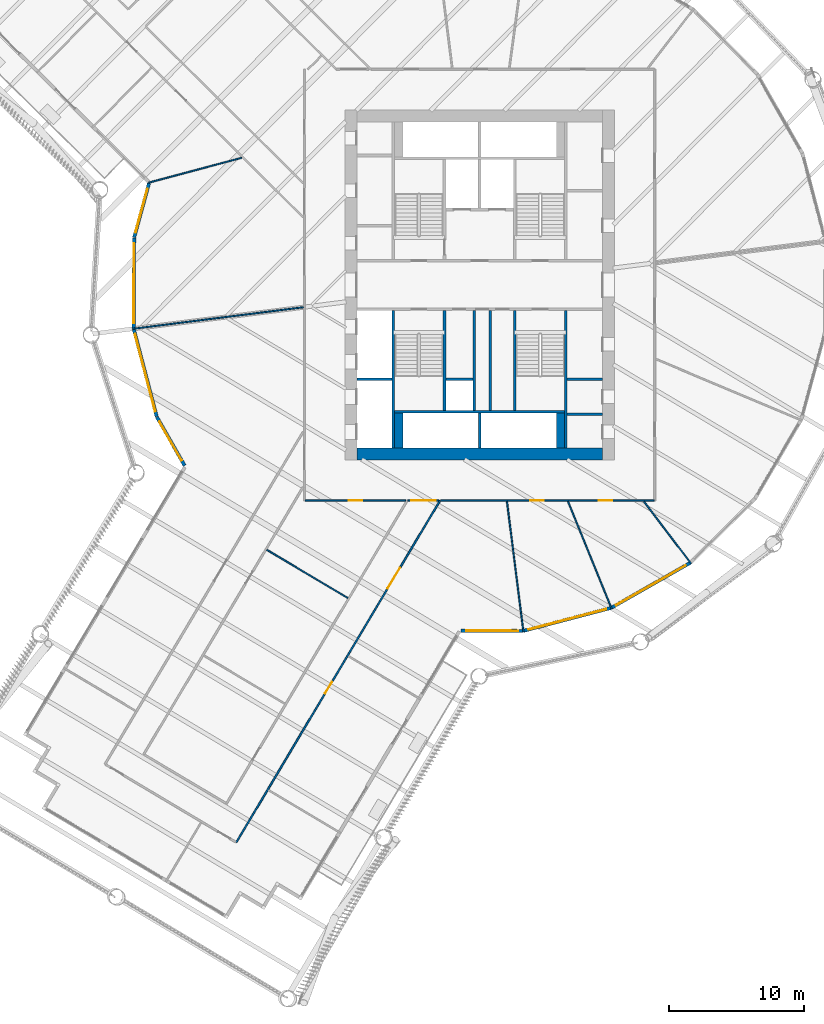
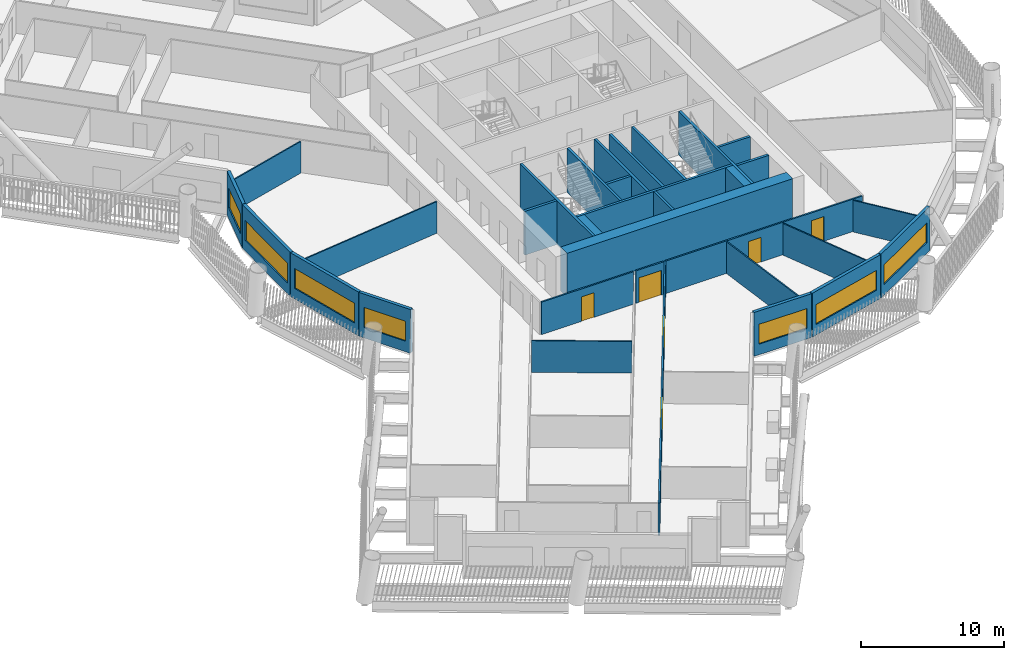
# One storey, part 4 of 22: 32 walls, 7 windows, 6 doors, 13 openings.
"""IFC4 building model written with IfcOpenShell, lengths in metres."""

from ifc_helpers import new_model, si_unit, direction, frame, frame_2d, origin, place, context, subcontext, project, spatial, rectangle, extrude, material, layer, layer_set, type_object, element, fill, save


model = new_model("IFC4")

# Units and contexts
model_context = context("Model", 3, precision=1e-05, world=origin(), true_north=direction((0.0, 1.0)))
body_context = subcontext(model_context, "Body", "Model", "MODEL_VIEW")
ifc_project = project(units=[si_unit("LENGTHUNIT", "METRE"), si_unit("AREAUNIT", "SQUARE_METRE"), si_unit("VOLUMEUNIT", "CUBIC_METRE"), si_unit("PLANEANGLEUNIT", "RADIAN"), si_unit("MASSUNIT", "GRAM", prefix="KILO")], contexts=[model_context])

# Site, building, storey
site_placement = place(None, origin())
site = spatial("IfcSite", under=ifc_project, at=site_placement, CompositionType="ELEMENT")
building_placement = place(site_placement, origin())
building = spatial("IfcBuilding", under=site, at=building_placement, Name="Tarsis Ring Headquarters", CompositionType="ELEMENT")
storey_placement = place(building_placement, frame((0.0, 0.0, 79.0)))
storey = spatial("IfcBuildingStorey", under=building, at=storey_placement, Name="L17", CompositionType="ELEMENT", Elevation=79.0)

# Walls
ifc_material_1 = material(Name="Blockwork", Category="masonry")
ifc_layer_1 = layer(ifc_material_1, 0.199951171875)
ifc_layer_set_1 = layer_set([ifc_layer_1], Name="Core blockwork wall 200")
wall_type_1 = type_object("IfcWallType", Name="Core blockwork wall 200", PredefinedType="PARTITIONING", material=ifc_layer_set_1)
for number, where, z_axis, x_axis, name in (
    (1, (6.5, -9.60009765625, 0.0), (0.0, 0.0, 1.0), (1.0, 0.0, 0.0), "Core partition ED1"),
    (2, (6.5, -7.0, 0.0), (0.0, 0.0, 1.0), (1.0, 0.0, 0.0), "Core partition ED2"),
):
    element("IfcWall", number, at=place(storey_placement, frame(where, z_axis=z_axis, x_axis=x_axis)), inside=storey, type_object=wall_type_1, Name=name, PredefinedType="PARTITIONING", context=body_context, shape_type="SweptSolid", body=[
        extrude(rectangle(XDim=2.60009765625, YDim=0.199951171875, at=frame_2d((1.300048828125, 0.0))), origin(), (0.0, 0.0, 1.0), 3.739990234375),
    ])
wall_1_placement = place(storey_placement, frame((-2.5, -7.0, 0.0), z_axis=(0.0, 0.0, 1.0), x_axis=(1.0, 0.0, 0.0)))
element("IfcWall", 3, at=wall_1_placement, inside=storey, type_object=wall_type_1, Name="Core partition SP1", PredefinedType="PARTITIONING", context=body_context, shape_type="SweptSolid", body=[
    extrude(rectangle(XDim=2.0, YDim=0.199951171875, at=frame_2d((1.0, 0.0))), origin(), (0.0, 0.0, 1.0), 3.739990234375),
])
for number, where, z_axis, x_axis, name in (
    (4, (-0.39990234375, -9.300048828125, 0.0), (0.0, 0.0, 1.0), (0.0, 1.0, 0.0), "Core partition SV1"),
    (5, (0.800048828125, -9.300048828125, 0.0), (0.0, 0.0, 1.0), (0.0, 1.0, 0.0), "Core partition SV2"),
):
    element("IfcWall", number, at=place(storey_placement, frame(where, z_axis=z_axis, x_axis=x_axis)), inside=storey, type_object=wall_type_1, Name=name, PredefinedType="PARTITIONING", context=body_context, shape_type="SweptSolid", body=[
        extrude(rectangle(XDim=7.400146484375, YDim=0.199951171875, at=frame_2d((3.7001953125, 0.0))), origin(), (0.0, 0.0, 1.0), 3.739990234375),
    ])
ifc_material_2 = material(Name="Concrete C60/75", Category="concrete")
ifc_layer_2 = layer(ifc_material_2, 0.89990234375)
ifc_layer_set_2 = layer_set([ifc_layer_2], Name="Core wall 900 C60/75")
wall_type_2 = type_object("IfcWallType", Name="Core wall 900 C60/75", PredefinedType="SHEAR", material=ifc_layer_set_2)
wall_2_placement = place(storey_placement, frame((-9.10009765625, -12.550048828125, 0.0), z_axis=(0.0, 0.0, 1.0), x_axis=(1.0, 0.0, 0.0)))
element("IfcWall", 6, at=wall_2_placement, inside=storey, type_object=wall_type_2, Name="Core wall OS", PredefinedType="SHEAR", context=body_context, shape_type="SweptSolid", body=[
    extrude(rectangle(XDim=18.2001953125, YDim=0.89990234375, at=frame_2d((9.10009765625, 0.0))), origin(), (0.0, 0.0, 1.0), 3.739990234375),
])
ifc_material_3 = material(Name="Gypsum board on steel studs", Category="steel")
ifc_layer_3 = layer(ifc_material_3, 0.10009765625)
ifc_layer_set_3 = layer_set([ifc_layer_3], Name="FL partition 100 unrated")
wall_type_3 = type_object("IfcWallType", Name="FL partition 100 unrated", PredefinedType="PARTITIONING", material=ifc_layer_set_3)
wall_3_placement = place(storey_placement, frame((-25.7431640625, -3.252197265625, 0.0), z_axis=(0.0, 0.0, 1.0), x_axis=(0.992114726728, 0.125333032399, 0.0)))
element("IfcWall", 7, at=wall_3_placement, inside=storey, type_object=wall_type_3, Name="Partition PW3", PredefinedType="PARTITIONING", context=body_context, shape_type="SweptSolid", body=[
    extrude(rectangle(XDim=12.774658203125, YDim=0.10009765625, at=frame_2d((6.38720703125, 0.0))), origin(), (0.0, 0.0, 1.0), 2.699951171875),
])
wall_4_placement = place(storey_placement, frame((2.030029296875, -16.0693359375, 0.0), z_axis=(0.0, 0.0, 1.0), x_axis=(0.125341235965, -0.992113690343, 0.0)))
element("IfcWall", 8, at=wall_4_placement, inside=storey, type_object=wall_type_3, Name="Partition PW3", PredefinedType="PARTITIONING", context=body_context, shape_type="SweptSolid", body=[
    extrude(rectangle(XDim=9.750732421875, YDim=0.10009765625, at=frame_2d((4.87548828125, 0.0))), origin(), (0.0, 0.0, 1.0), 2.699951171875),
])
wall_5_placement = place(storey_placement, frame((6.559814453125, -16.07421875, 0.0), z_axis=(0.0, 0.0, 1.0), x_axis=(0.377837807376, -0.925871800692, 0.0)))
element("IfcWall", 9, at=wall_5_placement, inside=storey, type_object=wall_type_3, Name="Partition PW3", PredefinedType="PARTITIONING", context=body_context, shape_type="SweptSolid", body=[
    extrude(rectangle(XDim=8.586669921875, YDim=0.10009765625, at=frame_2d((4.29345703125, 0.0))), origin(), (0.0, 0.0, 1.0), 2.699951171875),
])
wall_6_placement = place(storey_placement, frame((-15.786865234375, -19.6474609375, 0.0), z_axis=(0.0, 0.0, 1.0), x_axis=(0.85896349419, -0.512036830364, 0.0)))
element("IfcWall", 10, at=wall_6_placement, inside=storey, type_object=wall_type_3, Name="Partition PW3", PredefinedType="PARTITIONING", context=body_context, shape_type="SweptSolid", body=[
    extrude(rectangle(XDim=7.0, YDim=0.10009765625, at=frame_2d((3.5, 0.0))), origin(), (0.0, 0.0, 1.0), 2.699951171875),
])
wall_7_placement = place(storey_placement, frame((-24.566162109375, 7.58935546875, 0.0), z_axis=(0.0, 0.0, 1.0), x_axis=(0.966147727917, 0.257989472345, 0.0)))
element("IfcWall", 11, at=wall_7_placement, inside=storey, type_object=wall_type_3, Name="Partition PW3", PredefinedType="PARTITIONING", context=body_context, shape_type="SweptSolid", body=[
    extrude(rectangle(XDim=7.159912109375, YDim=0.10009765625, at=frame_2d((3.580078125, 0.0))), origin(), (0.0, 0.0, 1.0), 2.699951171875),
])
wall_8_placement = place(storey_placement, frame((12.205078125, -16.07958984375, 0.0), z_axis=(0.0, 0.0, 1.0), x_axis=(0.604594235165, -0.796533621893, 0.0)))
element("IfcWall", 12, at=wall_8_placement, inside=storey, type_object=wall_type_3, Name="Partition PW3", PredefinedType="PARTITIONING", context=body_context, shape_type="SweptSolid", body=[
    extrude(rectangle(XDim=5.7607421875, YDim=0.10009765625, at=frame_2d((2.88037109375, 0.0))), origin(), (0.0, 0.0, 1.0), 2.699951171875),
])

# Wall, openings, doors
ifc_layer_4 = layer(ifc_material_3, 0.125)
ifc_layer_set_4 = layer_set([ifc_layer_4], Name="FL partition 125 EI 60 H2770")
wall_type_4 = type_object("IfcWallType", Name="FL partition 125 EI 60 H2770", PredefinedType="PARTITIONING", material=ifc_layer_set_4)
wall_9_placement = place(storey_placement, frame((-18.053955078125, -41.35888671875, 0.0), z_axis=(0.0, 0.0, 1.0), x_axis=(0.512043187953, 0.858959704335, 0.0)))
wall_9 = element("IfcWall", 13, at=wall_9_placement, inside=storey, type_object=wall_type_4, Name="Partition PW1", PredefinedType="PARTITIONING", context=body_context, shape_type="SweptSolid", body=[
    extrude(rectangle(XDim=29.522705078125, YDim=0.125, at=frame_2d((14.76123046875, 0.0))), origin(), (0.0, 0.0, 1.0), 2.77001953125),
])
opening_1_placement = place(wall_9_placement, frame((21.927978515625, 0.0, 0.0)))
opening_1 = element("IfcOpeningElement", 14, at=opening_1_placement, cuts=wall_9, Name="Opening D17.13", PredefinedType="OPENING", context=body_context, shape_type="SweptSolid", body=[
    extrude(rectangle(XDim=1.800048828125, YDim=2.10009765625, at=frame_2d((0.89990234375, 1.050048828125))), frame((0.0, 0.072509765625, 0.0), z_axis=(0.0, -1.0, 0.0), x_axis=(1.0, 0.0, 0.0)), (0.0, 0.0, 1.0), 0.14501953125),
])
opening_2_placement = place(wall_9_placement, frame((12.8603515625, 0.0, 0.0)))
opening_2 = element("IfcOpeningElement", 15, at=opening_2_placement, cuts=wall_9, Name="Opening D17.14", PredefinedType="OPENING", context=body_context, shape_type="SweptSolid", body=[
    extrude(rectangle(XDim=1.0, YDim=2.10009765625, at=frame_2d((0.5, 1.050048828125))), frame((0.0, 0.072509765625, 0.0), z_axis=(0.0, -1.0, 0.0), x_axis=(1.0, 0.0, 0.0)), (0.0, 0.0, 1.0), 0.14501953125),
])
ifc_material_4 = material(Name="Fire-rated timber door leaf in steel frame", Category="steel")
door_type_1 = type_object("IfcDoorType", Name="FL door FD60-1000", OperationType="NOTDEFINED", PredefinedType="DOOR", material=ifc_material_4)
door_1_placement = place(opening_2_placement, origin())
door_1 = element("IfcDoor", 16, at=door_1_placement, inside=storey, type_object=door_type_1, Name="Door D17.14", OperationType="SINGLE_SWING_LEFT", OverallHeight=2.10009765625, OverallWidth=1.0, PredefinedType="DOOR", context=body_context, shape_type="SweptSolid", body=[
    extrude(rectangle(XDim=1.0, YDim=2.10009765625, at=frame_2d((0.5, 1.050048828125))), frame((0.0, 0.02490234375, 0.0), z_axis=(0.0, -1.0, 0.0), x_axis=(1.0, 0.0, 0.0)), (0.0, 0.0, 1.0), 0.050048828125),
])
fill(opening_2, door_1)
door_type_2 = type_object("IfcDoorType", Name="FL door FD60-1800", OperationType="DOUBLE_DOOR_SINGLE_SWING", PredefinedType="DOOR", material=ifc_material_4)
door_2_placement = place(opening_1_placement, origin())
door_2 = element("IfcDoor", 17, at=door_2_placement, inside=storey, type_object=door_type_2, Name="Door D17.13", OperationType="DOUBLE_DOOR_SINGLE_SWING", OverallHeight=2.10009765625, OverallWidth=1.800048828125, PredefinedType="DOOR", context=body_context, shape_type="SweptSolid", body=[
    extrude(rectangle(XDim=1.800048828125, YDim=2.10009765625, at=frame_2d((0.89990234375, 1.050048828125))), frame((0.0, 0.02490234375, 0.0), z_axis=(0.0, -1.0, 0.0), x_axis=(1.0, 0.0, 0.0)), (0.0, 0.0, 1.0), 0.050048828125),
])
fill(opening_1, door_2)

# Wall, opening, door
wall_10_placement = place(storey_placement, frame((-12.93994140625, -16.0, 0.0), z_axis=(0.0, 0.0, 1.0), x_axis=(1.0, 0.0, 0.0)))
wall_10 = element("IfcWall", 18, at=wall_10_placement, inside=storey, type_object=wall_type_4, Name="Partition PW1", PredefinedType="PARTITIONING", context=body_context, shape_type="SweptSolid", body=[
    extrude(rectangle(XDim=7.4482421875, YDim=0.125, at=frame_2d((3.72412109375, 0.0))), origin(), (0.0, 0.0, 1.0), 2.77001953125),
])
opening_3_placement = place(wall_10_placement, frame((3.2490234375, 0.0, 0.0)))
opening_3 = element("IfcOpeningElement", 19, at=opening_3_placement, cuts=wall_10, Name="Opening D17.22", PredefinedType="OPENING", context=body_context, shape_type="SweptSolid", body=[
    extrude(rectangle(XDim=1.0, YDim=2.10009765625, at=frame_2d((0.5, 1.050048828125))), frame((0.0, 0.072509765625, 0.0), z_axis=(0.0, -1.0, 0.0), x_axis=(1.0, 0.0, 0.0)), (0.0, 0.0, 1.0), 0.14501953125),
])
door_3_placement = place(opening_3_placement, origin())
door_3 = element("IfcDoor", 20, at=door_3_placement, inside=storey, type_object=door_type_1, Name="Door D17.22", OperationType="SINGLE_SWING_LEFT", OverallHeight=2.10009765625, OverallWidth=1.0, PredefinedType="DOOR", context=body_context, shape_type="SweptSolid", body=[
    extrude(rectangle(XDim=1.0, YDim=2.10009765625, at=frame_2d((0.5, 1.050048828125))), frame((0.0, 0.02490234375, 0.0), z_axis=(0.0, -1.0, 0.0), x_axis=(1.0, 0.0, 0.0)), (0.0, 0.0, 1.0), 0.050048828125),
])
fill(opening_3, door_3)

wall_11_placement = place(storey_placement, frame((-5.327880859375, -16.0, 0.0), z_axis=(0.0, 0.0, 1.0), x_axis=(1.0, 0.0, 0.0)))
wall_11 = element("IfcWall", 21, at=wall_11_placement, inside=storey, type_object=wall_type_4, Name="Partition PW1", PredefinedType="PARTITIONING", context=body_context, shape_type="SweptSolid", body=[
    extrude(rectangle(XDim=2.281005859375, YDim=0.125, at=frame_2d((1.140625, 0.0))), origin(), (0.0, 0.0, 1.0), 2.77001953125),
])
opening_4_placement = place(wall_11_placement, frame((0.268798828125, 0.0, 0.0)))
opening_4 = element("IfcOpeningElement", 22, at=opening_4_placement, cuts=wall_11, Name="Opening D17.28", PredefinedType="OPENING", context=body_context, shape_type="SweptSolid", body=[
    extrude(rectangle(XDim=1.800048828125, YDim=2.10009765625, at=frame_2d((0.89990234375, 1.050048828125))), frame((0.0, 0.072509765625, 0.0), z_axis=(0.0, -1.0, 0.0), x_axis=(1.0, 0.0, 0.0)), (0.0, 0.0, 1.0), 0.14501953125),
])
door_4_placement = place(opening_4_placement, origin())
door_4 = element("IfcDoor", 23, at=door_4_placement, inside=storey, type_object=door_type_2, Name="Door D17.28", OperationType="DOUBLE_DOOR_SINGLE_SWING", OverallHeight=2.10009765625, OverallWidth=1.800048828125, PredefinedType="DOOR", context=body_context, shape_type="SweptSolid", body=[
    extrude(rectangle(XDim=1.800048828125, YDim=2.10009765625, at=frame_2d((0.89990234375, 1.050048828125))), frame((0.0, 0.02490234375, 0.0), z_axis=(0.0, -1.0, 0.0), x_axis=(1.0, 0.0, 0.0)), (0.0, 0.0, 1.0), 0.050048828125),
])
fill(opening_4, door_4)

# Wall, openings, doors
wall_12_placement = place(storey_placement, frame((-2.88330078125, -16.0, 0.0), z_axis=(0.0, 0.0, 1.0), x_axis=(1.0, 0.0, 0.0)))
wall_12 = element("IfcWall", 24, at=wall_12_placement, inside=storey, type_object=wall_type_4, Name="Partition PW1", PredefinedType="PARTITIONING", context=body_context, shape_type="SweptSolid", body=[
    extrude(rectangle(XDim=15.8232421875, YDim=0.125, at=frame_2d((7.91162109375, 0.0))), origin(), (0.0, 0.0, 1.0), 2.77001953125),
])
opening_5_placement = place(wall_12_placement, frame((11.72021484375, 0.0, 0.0)))
opening_5 = element("IfcOpeningElement", 25, at=opening_5_placement, cuts=wall_12, Name="Opening D17.11", PredefinedType="OPENING", context=body_context, shape_type="SweptSolid", body=[
    extrude(rectangle(XDim=1.0, YDim=2.10009765625, at=frame_2d((0.5, 1.050048828125))), frame((0.0, 0.072509765625, 0.0), z_axis=(0.0, -1.0, 0.0), x_axis=(1.0, 0.0, 0.0)), (0.0, 0.0, 1.0), 0.14501953125),
])
opening_6_placement = place(wall_12_placement, frame((6.65869140625, 0.0, 0.0)))
opening_6 = element("IfcOpeningElement", 26, at=opening_6_placement, cuts=wall_12, Name="Opening D17.12", PredefinedType="OPENING", context=body_context, shape_type="SweptSolid", body=[
    extrude(rectangle(XDim=1.0, YDim=2.10009765625, at=frame_2d((0.5, 1.050048828125))), frame((0.0, 0.072509765625, 0.0), z_axis=(0.0, -1.0, 0.0), x_axis=(1.0, 0.0, 0.0)), (0.0, 0.0, 1.0), 0.14501953125),
])
door_5_placement = place(opening_5_placement, origin())
door_5 = element("IfcDoor", 27, at=door_5_placement, inside=storey, type_object=door_type_1, Name="Door D17.11", OperationType="SINGLE_SWING_RIGHT", OverallHeight=2.10009765625, OverallWidth=1.0, PredefinedType="DOOR", context=body_context, shape_type="SweptSolid", body=[
    extrude(rectangle(XDim=1.0, YDim=2.10009765625, at=frame_2d((0.5, 1.050048828125))), frame((0.0, 0.02490234375, 0.0), z_axis=(0.0, -1.0, 0.0), x_axis=(1.0, 0.0, 0.0)), (0.0, 0.0, 1.0), 0.050048828125),
])
fill(opening_5, door_5)
door_6_placement = place(opening_6_placement, origin())
door_6 = element("IfcDoor", 28, at=door_6_placement, inside=storey, type_object=door_type_1, Name="Door D17.12", OperationType="SINGLE_SWING_LEFT", OverallHeight=2.10009765625, OverallWidth=1.0, PredefinedType="DOOR", context=body_context, shape_type="SweptSolid", body=[
    extrude(rectangle(XDim=1.0, YDim=2.10009765625, at=frame_2d((0.5, 1.050048828125))), frame((0.0, 0.02490234375, 0.0), z_axis=(0.0, -1.0, 0.0), x_axis=(1.0, 0.0, 0.0)), (0.0, 0.0, 1.0), 0.050048828125),
])
fill(opening_6, door_6)

# Wall, opening, window
ifc_material_5 = material(Name="Terracotta clad insulated panel wall", Category="masonry")
ifc_layer_5 = layer(ifc_material_5, 0.25)
ifc_layer_set_5 = layer_set([ifc_layer_5], Name="Facade wall terracotta panel 250")
wall_type_5 = type_object("IfcWallType", Name="Facade wall terracotta panel 250", PredefinedType="STANDARD", material=ifc_layer_set_5)
wall_13_placement = place(storey_placement, frame((-24.533203125, 7.53759765625, 0.0), z_axis=(0.0, 0.0, 1.0), x_axis=(-0.263837805809, -0.964567059476, 0.0)))
wall_13 = element("IfcWall", 29, at=wall_13_placement, inside=storey, type_object=wall_type_5, Name="External wall L17-02", PredefinedType="STANDARD", context=body_context, shape_type="SweptSolid", body=[
    extrude(rectangle(XDim=4.157470703125, YDim=0.25, at=frame_2d((2.07861328125, 0.0))), origin(), (0.0, 0.0, 1.0), 3.739990234375),
])
opening_7_placement = place(wall_13_placement, frame((0.420166015625, 0.0, 0.89990234375)))
opening_7 = element("IfcOpeningElement", 30, at=opening_7_placement, cuts=wall_13, Name="Opening WN01", PredefinedType="OPENING", context=body_context, shape_type="SweptSolid", body=[
    extrude(rectangle(XDim=3.35009765625, YDim=1.699951171875, at=frame_2d((1.675048828125, 0.85009765625))), frame((0.0, 0.135009765625, 0.0), z_axis=(0.0, -1.0, 0.0), x_axis=(1.0, 0.0, 0.0)), (0.0, 0.0, 1.0), 0.27001953125),
])
ifc_material_6 = material(Name="Aluminium framed double glazing", Category="aluminium")
window_type_1 = type_object("IfcWindowType", Name="Facade window 3350 x 1700", PartitioningType="SINGLE_PANEL", PredefinedType="WINDOW", material=ifc_material_6)
window_1_placement = place(opening_7_placement, origin())
window_1 = element("IfcWindow", 31, at=window_1_placement, inside=storey, type_object=window_type_1, Name="Window L17-02.1", OverallHeight=1.699951171875, OverallWidth=3.35009765625, PartitioningType="SINGLE_PANEL", PredefinedType="WINDOW", context=body_context, shape_type="SweptSolid", body=[
    extrude(rectangle(XDim=3.35009765625, YDim=1.699951171875, at=frame_2d((1.675048828125, 0.85009765625))), frame((0.0, 0.030029296875, 0.0), z_axis=(0.0, -1.0, 0.0), x_axis=(1.0, 0.0, 0.0)), (0.0, 0.0, 1.0), 0.06005859375),
])
fill(opening_7, window_1)

wall_14_placement = place(storey_placement, frame((-25.634521484375, 3.4951171875, 0.0), z_axis=(0.0, 0.0, 1.0), x_axis=(-0.005266717117, -0.999986130749, 0.0)))
wall_14 = element("IfcWall", 32, at=wall_14_placement, inside=storey, type_object=wall_type_5, Name="External wall L17-03", PredefinedType="STANDARD", context=body_context, shape_type="SweptSolid", body=[
    extrude(rectangle(XDim=6.721435546875, YDim=0.25, at=frame_2d((3.36083984375, 0.0))), origin(), (0.0, 0.0, 1.0), 3.739990234375),
])
opening_8_placement = place(wall_14_placement, frame((0.3857421875, 0.0, 0.89990234375)))
opening_8 = element("IfcOpeningElement", 33, at=opening_8_placement, cuts=wall_14, Name="Opening WN07", PredefinedType="OPENING", context=body_context, shape_type="SweptSolid", body=[
    extrude(rectangle(XDim=5.949951171875, YDim=1.699951171875, at=frame_2d((2.97509765625, 0.85009765625))), frame((0.0, 0.135009765625, 0.0), z_axis=(0.0, -1.0, 0.0), x_axis=(1.0, 0.0, 0.0)), (0.0, 0.0, 1.0), 0.27001953125),
])
window_type_2 = type_object("IfcWindowType", Name="Facade window 5950 x 1700", PartitioningType="SINGLE_PANEL", PredefinedType="WINDOW", material=ifc_material_6)
window_2_placement = place(opening_8_placement, origin())
window_2 = element("IfcWindow", 34, at=window_2_placement, inside=storey, type_object=window_type_2, Name="Window L17-03.1", OverallHeight=1.699951171875, OverallWidth=5.949951171875, PartitioningType="SINGLE_PANEL", PredefinedType="WINDOW", context=body_context, shape_type="SweptSolid", body=[
    extrude(rectangle(XDim=5.949951171875, YDim=1.699951171875, at=frame_2d((2.97509765625, 0.85009765625))), frame((0.0, 0.030029296875, 0.0), z_axis=(0.0, -1.0, 0.0), x_axis=(1.0, 0.0, 0.0)), (0.0, 0.0, 1.0), 0.06005859375),
])
fill(opening_8, window_2)

wall_15_placement = place(storey_placement, frame((-25.665771484375, -3.2587890625, 0.0), z_axis=(0.0, 0.0, 1.0), x_axis=(0.253783441606, -0.967261063398, 0.0)))
wall_15 = element("IfcWall", 35, at=wall_15_placement, inside=storey, type_object=wall_type_5, Name="External wall L17-04", PredefinedType="STANDARD", context=body_context, shape_type="SweptSolid", body=[
    extrude(rectangle(XDim=6.721435546875, YDim=0.25, at=frame_2d((3.36083984375, 0.0))), origin(), (0.0, 0.0, 1.0), 3.739990234375),
])
opening_9_placement = place(wall_15_placement, frame((0.3857421875, 0.0, 0.89990234375)))
opening_9 = element("IfcOpeningElement", 36, at=opening_9_placement, cuts=wall_15, Name="Opening WN07", PredefinedType="OPENING", context=body_context, shape_type="SweptSolid", body=[
    extrude(rectangle(XDim=5.949951171875, YDim=1.699951171875, at=frame_2d((2.97509765625, 0.85009765625))), frame((0.0, 0.135009765625, 0.0), z_axis=(0.0, -1.0, 0.0), x_axis=(1.0, 0.0, 0.0)), (0.0, 0.0, 1.0), 0.27001953125),
])
window_3_placement = place(opening_9_placement, origin())
window_3 = element("IfcWindow", 37, at=window_3_placement, inside=storey, type_object=window_type_2, Name="Window L17-04.1", OverallHeight=1.699951171875, OverallWidth=5.949951171875, PartitioningType="SINGLE_PANEL", PredefinedType="WINDOW", context=body_context, shape_type="SweptSolid", body=[
    extrude(rectangle(XDim=5.949951171875, YDim=1.699951171875, at=frame_2d((2.97509765625, 0.85009765625))), frame((0.0, 0.030029296875, 0.0), z_axis=(0.0, -1.0, 0.0), x_axis=(1.0, 0.0, 0.0)), (0.0, 0.0, 1.0), 0.06005859375),
])
fill(opening_9, window_3)

wall_16_placement = place(storey_placement, frame((-23.94775390625, -9.79052734375, 0.0), z_axis=(0.0, 0.0, 1.0), x_axis=(0.495449459435, -0.868636767093, 0.0)))
wall_16 = element("IfcWall", 38, at=wall_16_placement, inside=storey, type_object=wall_type_5, Name="External wall L17-05", PredefinedType="STANDARD", context=body_context, shape_type="SweptSolid", body=[
    extrude(rectangle(XDim=4.157470703125, YDim=0.25, at=frame_2d((2.07861328125, 0.0))), origin(), (0.0, 0.0, 1.0), 3.739990234375),
])
opening_10_placement = place(wall_16_placement, frame((0.38720703125, 0.0, 0.89990234375)))
opening_10 = element("IfcOpeningElement", 39, at=opening_10_placement, cuts=wall_16, Name="Opening WN01", PredefinedType="OPENING", context=body_context, shape_type="SweptSolid", body=[
    extrude(rectangle(XDim=3.35009765625, YDim=1.699951171875, at=frame_2d((1.675048828125, 0.85009765625))), frame((0.0, 0.135009765625, 0.0), z_axis=(0.0, -1.0, 0.0), x_axis=(1.0, 0.0, 0.0)), (0.0, 0.0, 1.0), 0.27001953125),
])
window_4_placement = place(opening_10_placement, origin())
window_4 = element("IfcWindow", 40, at=window_4_placement, inside=storey, type_object=window_type_1, Name="Window L17-05.1", OverallHeight=1.699951171875, OverallWidth=3.35009765625, PartitioningType="SINGLE_PANEL", PredefinedType="WINDOW", context=body_context, shape_type="SweptSolid", body=[
    extrude(rectangle(XDim=3.35009765625, YDim=1.699951171875, at=frame_2d((1.675048828125, 0.85009765625))), frame((0.0, 0.030029296875, 0.0), z_axis=(0.0, -1.0, 0.0), x_axis=(1.0, 0.0, 0.0)), (0.0, 0.0, 1.0), 0.06005859375),
])
fill(opening_10, window_4)

wall_17_placement = place(storey_placement, frame((-1.391357421875, -25.645751953125, 0.0), z_axis=(0.0, 0.0, 1.0), x_axis=(0.999986301762, -0.00523414634, 0.0)))
wall_17 = element("IfcWall", 41, at=wall_17_placement, inside=storey, type_object=wall_type_5, Name="External wall L17-17", PredefinedType="STANDARD", context=body_context, shape_type="SweptSolid", body=[
    extrude(rectangle(XDim=4.61767578125, YDim=0.25, at=frame_2d((2.308837890625, 0.0))), origin(), (0.0, 0.0, 1.0), 3.739990234375),
])
opening_11_placement = place(wall_17_placement, frame((0.400390625, 0.0, 0.89990234375)))
opening_11 = element("IfcOpeningElement", 42, at=opening_11_placement, cuts=wall_17, Name="Opening WN02", PredefinedType="OPENING", context=body_context, shape_type="SweptSolid", body=[
    extrude(rectangle(XDim=3.85009765625, YDim=1.699951171875, at=frame_2d((1.925048828125, 0.85009765625))), frame((0.0, 0.135009765625, 0.0), z_axis=(0.0, -1.0, 0.0), x_axis=(1.0, 0.0, 0.0)), (0.0, 0.0, 1.0), 0.27001953125),
])
window_type_3 = type_object("IfcWindowType", Name="Facade window 3850 x 1700", PartitioningType="SINGLE_PANEL", PredefinedType="WINDOW", material=ifc_material_6)
window_5_placement = place(opening_11_placement, origin())
window_5 = element("IfcWindow", 43, at=window_5_placement, inside=storey, type_object=window_type_3, Name="Window L17-17.1", OverallHeight=1.699951171875, OverallWidth=3.85009765625, PartitioningType="SINGLE_PANEL", PredefinedType="WINDOW", context=body_context, shape_type="SweptSolid", body=[
    extrude(rectangle(XDim=3.85009765625, YDim=1.699951171875, at=frame_2d((1.925048828125, 0.85009765625))), frame((0.0, 0.030029296875, 0.0), z_axis=(0.0, -1.0, 0.0), x_axis=(1.0, 0.0, 0.0)), (0.0, 0.0, 1.0), 0.06005859375),
])
fill(opening_11, window_5)

wall_18_placement = place(storey_placement, frame((3.2587890625, -25.665771484375, 0.0), z_axis=(0.0, 0.0, 1.0), x_axis=(0.967261063398, 0.253783441606, 0.0)))
wall_18 = element("IfcWall", 44, at=wall_18_placement, inside=storey, type_object=wall_type_5, Name="External wall L17-18", PredefinedType="STANDARD", context=body_context, shape_type="SweptSolid", body=[
    extrude(rectangle(XDim=6.721435546875, YDim=0.25, at=frame_2d((3.36083984375, 0.0))), origin(), (0.0, 0.0, 1.0), 3.739990234375),
])
opening_12_placement = place(wall_18_placement, frame((0.3857421875, 0.0, 0.89990234375)))
opening_12 = element("IfcOpeningElement", 45, at=opening_12_placement, cuts=wall_18, Name="Opening WN07", PredefinedType="OPENING", context=body_context, shape_type="SweptSolid", body=[
    extrude(rectangle(XDim=5.949951171875, YDim=1.699951171875, at=frame_2d((2.97509765625, 0.85009765625))), frame((0.0, 0.135009765625, 0.0), z_axis=(0.0, -1.0, 0.0), x_axis=(1.0, 0.0, 0.0)), (0.0, 0.0, 1.0), 0.27001953125),
])
window_6_placement = place(opening_12_placement, origin())
window_6 = element("IfcWindow", 46, at=window_6_placement, inside=storey, type_object=window_type_2, Name="Window L17-18.1", OverallHeight=1.699951171875, OverallWidth=5.949951171875, PartitioningType="SINGLE_PANEL", PredefinedType="WINDOW", context=body_context, shape_type="SweptSolid", body=[
    extrude(rectangle(XDim=5.949951171875, YDim=1.699951171875, at=frame_2d((2.97509765625, 0.85009765625))), frame((0.0, 0.030029296875, 0.0), z_axis=(0.0, -1.0, 0.0), x_axis=(1.0, 0.0, 0.0)), (0.0, 0.0, 1.0), 0.06005859375),
])
fill(opening_12, window_6)

wall_19_placement = place(storey_placement, frame((9.79052734375, -23.94775390625, 0.0), z_axis=(0.0, 0.0, 1.0), x_axis=(0.868629563093, 0.49546208949, 0.0)))
wall_19 = element("IfcWall", 47, at=wall_19_placement, inside=storey, type_object=wall_type_5, Name="External wall L17-19", PredefinedType="STANDARD", context=body_context, shape_type="SweptSolid", body=[
    extrude(rectangle(XDim=6.7216796875, YDim=0.25, at=frame_2d((3.36083984375, 0.0))), origin(), (0.0, 0.0, 1.0), 3.739990234375),
])
opening_13_placement = place(wall_19_placement, frame((0.3857421875, 0.0, 0.89990234375)))
opening_13 = element("IfcOpeningElement", 48, at=opening_13_placement, cuts=wall_19, Name="Opening WN07", PredefinedType="OPENING", context=body_context, shape_type="SweptSolid", body=[
    extrude(rectangle(XDim=5.949951171875, YDim=1.699951171875, at=frame_2d((2.97509765625, 0.85009765625))), frame((0.0, 0.135009765625, 0.0), z_axis=(0.0, -1.0, 0.0), x_axis=(1.0, 0.0, 0.0)), (0.0, 0.0, 1.0), 0.27001953125),
])
window_7_placement = place(opening_13_placement, origin())
window_7 = element("IfcWindow", 49, at=window_7_placement, inside=storey, type_object=window_type_2, Name="Window L17-19.1", OverallHeight=1.699951171875, OverallWidth=5.949951171875, PartitioningType="SINGLE_PANEL", PredefinedType="WINDOW", context=body_context, shape_type="SweptSolid", body=[
    extrude(rectangle(XDim=5.949951171875, YDim=1.699951171875, at=frame_2d((2.97509765625, 0.85009765625))), frame((0.0, 0.030029296875, 0.0), z_axis=(0.0, -1.0, 0.0), x_axis=(1.0, 0.0, 0.0)), (0.0, 0.0, 1.0), 0.06005859375),
])
fill(opening_13, window_7)

# Walls
ifc_material_7 = material(Name="Concrete C32/40", Category="concrete")
ifc_layer_6 = layer(ifc_material_7, 0.60009765625)
ifc_layer_set_6 = layer_set([ifc_layer_6], Name="Shaft end wall 600 C32/40")
wall_type_6 = type_object("IfcWallType", Name="Shaft end wall 600 C32/40", PredefinedType="SOLIDWALL", material=ifc_layer_set_6)
for number, where, z_axis, x_axis, name in (
    (50, (-6.0, -12.10009765625, 0.0), (0.0, 0.0, 1.0), (0.0, 1.0, 0.0), "Core shaft wall SNE1"),
    (51, (6.0, -12.10009765625, 0.0), (0.0, 0.0, 1.0), (0.0, 1.0, 0.0), "Core shaft wall SNE2"),
):
    element("IfcWall", number, at=place(storey_placement, frame(where, z_axis=z_axis, x_axis=x_axis)), inside=storey, type_object=wall_type_6, Name=name, PredefinedType="SOLIDWALL", context=body_context, shape_type="SweptSolid", body=[
        extrude(rectangle(XDim=2.60009765625, YDim=0.60009765625, at=frame_2d((1.300048828125, 0.0))), origin(), (0.0, 0.0, 1.0), 3.739990234375),
    ])
ifc_layer_7 = layer(ifc_material_7, 0.199951171875)
ifc_layer_set_7 = layer_set([ifc_layer_7], Name="Shaft wall 200 C32/40")
wall_type_7 = type_object("IfcWallType", Name="Shaft wall 200 C32/40", PredefinedType="SOLIDWALL", material=ifc_layer_set_7)
for number, where, z_axis, x_axis, name in (
    (52, (-6.39990234375, -12.10009765625, 0.0), (0.0, 0.0, 1.0), (0.0, 1.0, 0.0), "Core shaft wall WB1"),
    (53, (6.39990234375, -12.10009765625, 0.0), (0.0, 0.0, 1.0), (0.0, 1.0, 0.0), "Core shaft wall EB1"),
):
    element("IfcWall", number, at=place(storey_placement, frame(where, z_axis=z_axis, x_axis=x_axis)), inside=storey, type_object=wall_type_7, Name=name, PredefinedType="SOLIDWALL", context=body_context, shape_type="SweptSolid", body=[
        extrude(rectangle(XDim=10.2001953125, YDim=0.199951171875, at=frame_2d((5.10009765625, 0.0))), origin(), (0.0, 0.0, 1.0), 3.739990234375),
    ])
wall_20_placement = place(storey_placement, frame((-6.300048828125, -9.39990234375, 0.0), z_axis=(0.0, 0.0, 1.0), x_axis=(1.0, 0.0, 0.0)))
element("IfcWall", 54, at=wall_20_placement, inside=storey, type_object=wall_type_7, Name="Core shaft wall SB", PredefinedType="SOLIDWALL", context=body_context, shape_type="SweptSolid", body=[
    extrude(rectangle(XDim=12.60009765625, YDim=0.199951171875, at=frame_2d((6.300048828125, 0.0))), origin(), (0.0, 0.0, 1.0), 3.739990234375),
])
for number, where, z_axis, x_axis, name in (
    (55, (-2.60009765625, -9.300048828125, 0.0), (0.0, 0.0, 1.0), (0.0, 1.0, 0.0), "Core shaft wall SW3"),
    (56, (2.60009765625, -9.300048828125, 0.0), (0.0, 0.0, 1.0), (0.0, 1.0, 0.0), "Core shaft wall SW4"),
):
    element("IfcWall", number, at=place(storey_placement, frame(where, z_axis=z_axis, x_axis=x_axis)), inside=storey, type_object=wall_type_7, Name=name, PredefinedType="SOLIDWALL", context=body_context, shape_type="SweptSolid", body=[
        extrude(rectangle(XDim=7.400146484375, YDim=0.199951171875, at=frame_2d((3.7001953125, 0.0))), origin(), (0.0, 0.0, 1.0), 3.739990234375),
    ])
for number, where, z_axis, x_axis, name in (
    (57, (-9.10009765625, -7.0, 0.0), (0.0, 0.0, 1.0), (1.0, 0.0, 0.0), "Core shaft wall WD2"),
    (58, (0.0, -12.10009765625, 0.0), (0.0, 0.0, 1.0), (0.0, 1.0, 0.0), "Core shaft wall SD2"),
):
    element("IfcWall", number, at=place(storey_placement, frame(where, z_axis=z_axis, x_axis=x_axis)), inside=storey, type_object=wall_type_7, Name=name, PredefinedType="SOLIDWALL", context=body_context, shape_type="SweptSolid", body=[
        extrude(rectangle(XDim=2.60009765625, YDim=0.199951171875, at=frame_2d((1.300048828125, 0.0))), origin(), (0.0, 0.0, 1.0), 3.739990234375),
    ])

save(model, "model.ifc")
